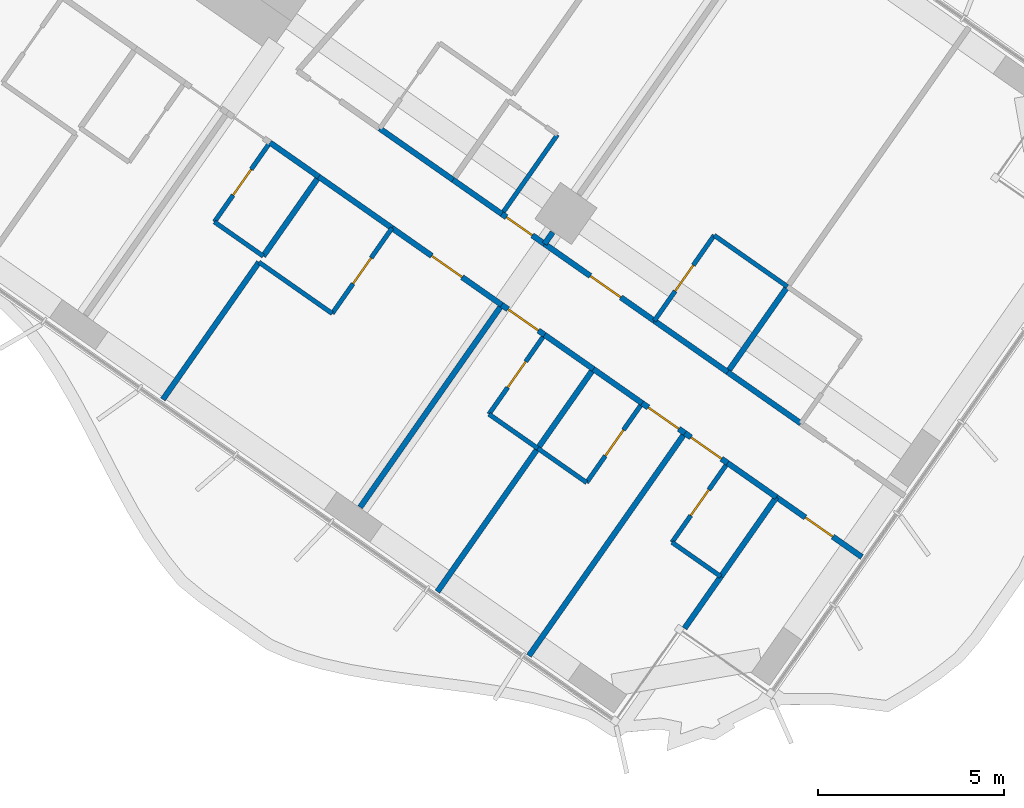
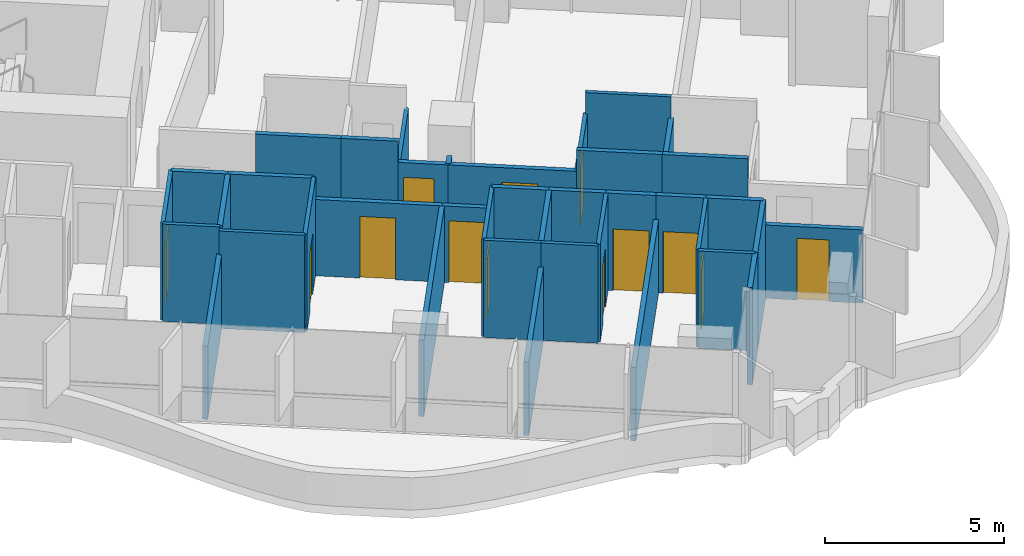
# One storey, part 17 of 25: 39 walls, 13 doors, 13 openings.
"""IFC4 building model written with IfcOpenShell, lengths in metres."""

from ifc_helpers import new_model, si_unit, direction, frame, frame_2d, origin, place, context, subcontext, project, spatial, rectangle, extrude, material, layer, layer_set, type_object, element, fill, save


model = new_model("IFC4")

# Units and contexts
model_context = context("Model", 3, precision=1e-05, world=origin(), true_north=direction((0.0, 1.0)))
body_context = subcontext(model_context, "Body", "Model", "MODEL_VIEW")
ifc_project = project(units=[si_unit("LENGTHUNIT", "METRE"), si_unit("AREAUNIT", "SQUARE_METRE"), si_unit("VOLUMEUNIT", "CUBIC_METRE"), si_unit("PLANEANGLEUNIT", "RADIAN"), si_unit("MASSUNIT", "GRAM", prefix="KILO")], contexts=[model_context])

# Site, building, storey
site_placement = place(None, origin())
site = spatial("IfcSite", under=ifc_project, at=site_placement, CompositionType="ELEMENT")
building_placement = place(site_placement, origin())
building = spatial("IfcBuilding", under=site, at=building_placement, Name="Tel Ilan Convention Tower", CompositionType="ELEMENT")
storey_placement = place(building_placement, frame((0.0, 0.0, 61.699951171875)))
storey = spatial("IfcBuildingStorey", under=building, at=storey_placement, Name="L10", CompositionType="ELEMENT", Elevation=61.699951171875)

# Wall
ifc_material_1 = material(Name="Plasterboard on Steel Studs", Category="steel")
ifc_layer_1 = layer(ifc_material_1, 0.14990234375)
ifc_layer_set_1 = layer_set([ifc_layer_1], Name="Fire-rated Partition 150 EI 60")
wall_type_1 = type_object("IfcWallType", Name="Fire-rated Partition 150 EI 60", PredefinedType="PARTITIONING", material=ifc_layer_set_1)
wall_1_placement = place(storey_placement, frame((24.49072265625, -18.369384765625, 0.0), z_axis=(0.0, 0.0, 1.0), x_axis=(0.819179439794, -0.573537309527, 0.0)))
element("IfcWall", 1, at=wall_1_placement, inside=storey, type_object=wall_type_1, Name="Partition 002", PredefinedType="PARTITIONING", context=body_context, shape_type="SweptSolid", body=[
    extrude(rectangle(XDim=2.404296875, YDim=0.14990234375, at=frame_2d((1.2021484375, 0.0))), origin(), (0.0, 0.0, 1.0), 3.320068359375),
])

# Wall, opening, door
wall_2_placement = place(storey_placement, frame((28.91748046875, -21.468994140625, 0.0), z_axis=(0.0, 0.0, 1.0), x_axis=(-0.81914197737, 0.573590813132, 0.0)))
wall_2 = element("IfcWall", 2, at=wall_2_placement, inside=storey, type_object=wall_type_1, Name="Partition 003", PredefinedType="PARTITIONING", context=body_context, shape_type="SweptSolid", body=[
    extrude(rectangle(XDim=1.40283203125, YDim=0.14990234375, at=frame_2d((0.701416015625, 0.0))), origin(), (0.0, 0.0, 1.0), 2.60009765625),
])
opening_1_placement = place(wall_2_placement, frame((0.403076171875, 0.0, 0.0)))
opening_1 = element("IfcOpeningElement", 3, at=opening_1_placement, cuts=wall_2, Name="Opening L08-046", PredefinedType="OPENING", context=body_context, shape_type="SweptSolid", body=[
    extrude(rectangle(XDim=0.85009765625, YDim=2.10009765625, at=frame_2d((0.425048828125, 1.050048828125))), frame((0.0, 0.0849609375, 0.0), z_axis=(0.0, -1.0, 0.0), x_axis=(1.0, 0.0, 0.0)), (0.0, 0.0, 1.0), 0.169921875),
])
ifc_material_2 = material(Name="Timber Door Leaf in Steel Frame", Category="steel")
door_type_1 = type_object("IfcDoorType", Name="Room Fire Door 850x2100", OperationType="NOTDEFINED", PredefinedType="DOOR", material=ifc_material_2)
door_1_placement = place(opening_1_placement, origin())
door_1 = element("IfcDoor", 4, at=door_1_placement, inside=storey, type_object=door_type_1, Name="Door L08-046", OperationType="SINGLE_SWING_RIGHT", OverallHeight=2.10009765625, OverallWidth=0.85009765625, PredefinedType="DOOR", context=body_context, shape_type="SweptSolid", body=[
    extrude(rectangle(XDim=0.85009765625, YDim=2.10009765625, at=frame_2d((0.425048828125, 1.050048828125))), frame((0.0, 0.02490234375, 0.0), z_axis=(0.0, -1.0, 0.0), x_axis=(1.0, 0.0, 0.0)), (0.0, 0.0, 1.0), 0.050048828125),
])
fill(opening_1, door_1)

# Wall
wall_3_placement = place(storey_placement, frame((26.456787109375, -19.74609375, 0.0), z_axis=(0.0, 0.0, 1.0), x_axis=(0.819189013667, -0.573523634986, 0.0)))
element("IfcWall", 5, at=wall_3_placement, inside=storey, type_object=wall_type_1, Name="Partition 004", PredefinedType="PARTITIONING", context=body_context, shape_type="SweptSolid", body=[
    extrude(rectangle(XDim=1.60400390625, YDim=0.14990234375, at=frame_2d((0.802001953125, 0.0))), origin(), (0.0, 0.0, 1.0), 3.320068359375),
])

# Wall, opening, door
wall_4_placement = place(storey_placement, frame((28.914306640625, -21.466796875, 0.0), z_axis=(0.0, 0.0, 1.0), x_axis=(0.819145961204, -0.573585123798, 0.0)))
wall_4 = element("IfcWall", 6, at=wall_4_placement, inside=storey, type_object=wall_type_1, Name="Partition 005", PredefinedType="PARTITIONING", context=body_context, shape_type="SweptSolid", body=[
    extrude(rectangle(XDim=3.60302734375, YDim=0.14990234375, at=frame_2d((1.801513671875, 0.0))), origin(), (0.0, 0.0, 1.0), 2.60009765625),
])
opening_2_placement = place(wall_4_placement, frame((1.501953125, 0.0, 0.0)))
opening_2 = element("IfcOpeningElement", 7, at=opening_2_placement, cuts=wall_4, Name="Opening L08-048", PredefinedType="OPENING", context=body_context, shape_type="SweptSolid", body=[
    extrude(rectangle(XDim=1.0, YDim=2.10009765625, at=frame_2d((0.5, 1.050048828125))), frame((0.0, 0.0849609375, 0.0), z_axis=(0.0, -1.0, 0.0), x_axis=(1.0, 0.0, 0.0)), (0.0, 0.0, 1.0), 0.169921875),
])
ifc_material_3 = material(Name="Timber Door Leaf in Steel Frame", Category="steel")
door_type_2 = type_object("IfcDoorType", Name="Hotel Room Entrance Fire Door 1000x2100", OperationType="NOTDEFINED", PredefinedType="DOOR", material=ifc_material_3)
door_2_placement = place(opening_2_placement, origin())
door_2 = element("IfcDoor", 8, at=door_2_placement, inside=storey, type_object=door_type_2, Name="Door L08-048", OperationType="SINGLE_SWING_RIGHT", OverallHeight=2.10009765625, OverallWidth=1.0, PredefinedType="DOOR", context=body_context, shape_type="SweptSolid", body=[
    extrude(rectangle(XDim=1.0, YDim=2.10009765625, at=frame_2d((0.5, 1.050048828125))), frame((0.0, 0.02490234375, 0.0), z_axis=(0.0, -1.0, 0.0), x_axis=(1.0, 0.0, 0.0)), (0.0, 0.0, 1.0), 0.050048828125),
])
fill(opening_2, door_2)

# Walls
for number, where, z_axis, x_axis, name in (
    (9, (31.86328125, -23.531494140625, 0.0), (0.0, 0.0, 1.0), (0.819146032251, -0.573585022335, 0.0), "Partition 006"),
    (10, (33.8291015625, -24.908203125, 0.0), (0.0, 0.0, 1.0), (0.819146032251, -0.573585022335, 0.0), "Partition 008"),
):
    element("IfcWall", number, at=place(storey_placement, frame(where, z_axis=z_axis, x_axis=x_axis)), inside=storey, type_object=wall_type_1, Name=name, PredefinedType="PARTITIONING", context=body_context, shape_type="SweptSolid", body=[
        extrude(rectangle(XDim=2.404052734375, YDim=0.14990234375, at=frame_2d((1.2021484375, 0.0))), origin(), (0.0, 0.0, 1.0), 3.320068359375),
    ])

# Wall, opening, door
wall_5_placement = place(storey_placement, frame((37.434814453125, -29.87451171875, 0.0), z_axis=(0.0, 0.0, 1.0), x_axis=(-0.819125488359, 0.573614360281, 0.0)))
wall_5 = element("IfcWall", 11, at=wall_5_placement, inside=storey, type_object=wall_type_1, Name="Partition 010", PredefinedType="PARTITIONING", context=body_context, shape_type="SweptSolid", body=[
    extrude(rectangle(XDim=2.80224609375, YDim=0.14990234375, at=frame_2d((1.401123046875, 0.0))), origin(), (0.0, 0.0, 1.0), 2.5),
])
opening_3_placement = place(wall_5_placement, frame((0.950927734375, 0.0, 0.0)))
opening_3 = element("IfcOpeningElement", 12, at=opening_3_placement, cuts=wall_5, Name="Opening L08-042", PredefinedType="OPENING", context=body_context, shape_type="SweptSolid", body=[
    extrude(rectangle(XDim=0.89990234375, YDim=2.10009765625, at=frame_2d((0.449951171875, 1.050048828125))), frame((0.0, 0.0849609375, 0.0), z_axis=(0.0, -1.0, 0.0), x_axis=(1.0, 0.0, 0.0)), (0.0, 0.0, 1.0), 0.169921875),
])
ifc_material_4 = material(Name="Timber Door Leaf in Steel Frame", Category="steel")
door_type_3 = type_object("IfcDoorType", Name="Room Fire Door 900x2100", OperationType="NOTDEFINED", PredefinedType="DOOR", material=ifc_material_4)
door_3_placement = place(opening_3_placement, origin())
door_3 = element("IfcDoor", 13, at=door_3_placement, inside=storey, type_object=door_type_3, Name="Door L08-042", OperationType="SINGLE_SWING_RIGHT", OverallHeight=2.10009765625, OverallWidth=0.89990234375, PredefinedType="DOOR", context=body_context, shape_type="SweptSolid", body=[
    extrude(rectangle(XDim=0.89990234375, YDim=2.10009765625, at=frame_2d((0.449951171875, 1.050048828125))), frame((0.0, 0.02490234375, 0.0), z_axis=(0.0, -1.0, 0.0), x_axis=(1.0, 0.0, 0.0)), (0.0, 0.0, 1.0), 0.050048828125),
])
fill(opening_3, door_3)

# Wall
wall_6_placement = place(storey_placement, frame((22.85546875, -19.666015625, 0.0), z_axis=(0.0, 0.0, 1.0), x_axis=(-0.819117502046, 0.573625764625, 0.0)))
element("IfcWall", 14, at=wall_6_placement, inside=storey, type_object=wall_type_1, Name="Partition 019", PredefinedType="PARTITIONING", context=body_context, shape_type="SweptSolid", body=[
    extrude(rectangle(XDim=1.60400390625, YDim=0.14990234375, at=frame_2d((0.802001953125, 0.0))), origin(), (0.0, 0.0, 1.0), 3.320068359375),
])

# Wall, opening, door
wall_7_placement = place(storey_placement, frame((27.7705078125, -23.107421875, 0.0), z_axis=(0.0, 0.0, 1.0), x_axis=(-0.819145961204, 0.573585123798, 0.0)))
wall_7 = element("IfcWall", 15, at=wall_7_placement, inside=storey, type_object=wall_type_1, Name="Partition 020", PredefinedType="PARTITIONING", context=body_context, shape_type="SweptSolid", body=[
    extrude(rectangle(XDim=3.60302734375, YDim=0.14990234375, at=frame_2d((1.801513671875, 0.0))), origin(), (0.0, 0.0, 1.0), 2.60009765625),
])
opening_4_placement = place(wall_7_placement, frame((1.302001953125, 0.0, 0.0)))
opening_4 = element("IfcOpeningElement", 16, at=opening_4_placement, cuts=wall_7, Name="Opening L08-035", PredefinedType="OPENING", context=body_context, shape_type="SweptSolid", body=[
    extrude(rectangle(XDim=1.0, YDim=2.10009765625, at=frame_2d((0.5, 1.050048828125))), frame((0.0, 0.0849609375, 0.0), z_axis=(0.0, -1.0, 0.0), x_axis=(1.0, 0.0, 0.0)), (0.0, 0.0, 1.0), 0.169921875),
])
door_4_placement = place(opening_4_placement, origin())
door_4 = element("IfcDoor", 17, at=door_4_placement, inside=storey, type_object=door_type_2, Name="Door L08-035", OperationType="SINGLE_SWING_LEFT", OverallHeight=2.10009765625, OverallWidth=1.0, PredefinedType="DOOR", context=body_context, shape_type="SweptSolid", body=[
    extrude(rectangle(XDim=1.0, YDim=2.10009765625, at=frame_2d((0.5, 1.050048828125))), frame((0.0, 0.02490234375, 0.0), z_axis=(0.0, -1.0, 0.0), x_axis=(1.0, 0.0, 0.0)), (0.0, 0.0, 1.0), 0.050048828125),
])
fill(opening_4, door_4)

# Wall
wall_8_placement = place(storey_placement, frame((24.8212890625, -21.04248046875, 0.0), z_axis=(0.0, 0.0, 1.0), x_axis=(-0.81911261637, 0.573632741136, 0.0)))
element("IfcWall", 18, at=wall_8_placement, inside=storey, type_object=wall_type_1, Name="Partition 021", PredefinedType="PARTITIONING", context=body_context, shape_type="SweptSolid", body=[
    extrude(rectangle(XDim=2.40380859375, YDim=0.14990234375, at=frame_2d((1.201904296875, 0.0))), origin(), (0.0, 0.0, 1.0), 3.320068359375),
])

# Wall, opening, door
wall_9_placement = place(storey_placement, frame((28.91650390625, -23.909912109375, 0.0), z_axis=(0.0, 0.0, 1.0), x_axis=(-0.819117471667, 0.573625808005, 0.0)))
wall_9 = element("IfcWall", 19, at=wall_9_placement, inside=storey, type_object=wall_type_1, Name="Partition 022", PredefinedType="PARTITIONING", context=body_context, shape_type="SweptSolid", body=[
    extrude(rectangle(XDim=1.4033203125, YDim=0.14990234375, at=frame_2d((0.70166015625, 0.0))), origin(), (0.0, 0.0, 1.0), 2.60009765625),
])
opening_5_placement = place(wall_9_placement, frame((0.200927734375, 0.0, 0.0)))
opening_5 = element("IfcOpeningElement", 20, at=opening_5_placement, cuts=wall_9, Name="Opening L08-037", PredefinedType="OPENING", context=body_context, shape_type="SweptSolid", body=[
    extrude(rectangle(XDim=1.0, YDim=2.10009765625, at=frame_2d((0.5, 1.050048828125))), frame((0.0, 0.0849609375, 0.0), z_axis=(0.0, -1.0, 0.0), x_axis=(1.0, 0.0, 0.0)), (0.0, 0.0, 1.0), 0.169921875),
])
door_5_placement = place(opening_5_placement, origin())
door_5 = element("IfcDoor", 21, at=door_5_placement, inside=storey, type_object=door_type_2, Name="Door L08-037", OperationType="SINGLE_SWING_RIGHT", OverallHeight=2.10009765625, OverallWidth=1.0, PredefinedType="DOOR", context=body_context, shape_type="SweptSolid", body=[
    extrude(rectangle(XDim=1.0, YDim=2.10009765625, at=frame_2d((0.5, 1.050048828125))), frame((0.0, 0.02490234375, 0.0), z_axis=(0.0, -1.0, 0.0), x_axis=(1.0, 0.0, 0.0)), (0.0, 0.0, 1.0), 0.050048828125),
])
fill(opening_5, door_5)

# Wall
wall_10_placement = place(storey_placement, frame((30.227783203125, -24.828125, 0.0), z_axis=(0.0, 0.0, 1.0), x_axis=(-0.819189013667, 0.573523634986, 0.0)))
element("IfcWall", 22, at=wall_10_placement, inside=storey, type_object=wall_type_1, Name="Partition 023", PredefinedType="PARTITIONING", context=body_context, shape_type="SweptSolid", body=[
    extrude(rectangle(XDim=1.60400390625, YDim=0.14990234375, at=frame_2d((0.802001953125, 0.0))), origin(), (0.0, 0.0, 1.0), 3.320068359375),
])

# Wall, opening, door
wall_11_placement = place(storey_placement, frame((32.685302734375, -26.548828125, 0.0), z_axis=(0.0, 0.0, 1.0), x_axis=(-0.819199220913, 0.573509055252, 0.0)))
wall_11 = element("IfcWall", 23, at=wall_11_placement, inside=storey, type_object=wall_type_1, Name="Partition 024", PredefinedType="PARTITIONING", context=body_context, shape_type="SweptSolid", body=[
    extrude(rectangle(XDim=1.403076171875, YDim=0.14990234375, at=frame_2d((0.70166015625, 0.0))), origin(), (0.0, 0.0, 1.0), 3.320068359375),
])
opening_6_placement = place(wall_11_placement, frame((0.201904296875, 0.0, 0.0)))
opening_6 = element("IfcOpeningElement", 24, at=opening_6_placement, cuts=wall_11, Name="Opening L08-039", PredefinedType="OPENING", context=body_context, shape_type="SweptSolid", body=[
    extrude(rectangle(XDim=1.0, YDim=2.10009765625, at=frame_2d((0.5, 1.050048828125))), frame((0.0, 0.0849609375, 0.0), z_axis=(0.0, -1.0, 0.0), x_axis=(1.0, 0.0, 0.0)), (0.0, 0.0, 1.0), 0.169921875),
])
door_6_placement = place(opening_6_placement, origin())
door_6 = element("IfcDoor", 25, at=door_6_placement, inside=storey, type_object=door_type_2, Name="Door L08-039", OperationType="SINGLE_SWING_RIGHT", OverallHeight=2.10009765625, OverallWidth=1.0, PredefinedType="DOOR", context=body_context, shape_type="SweptSolid", body=[
    extrude(rectangle(XDim=1.0, YDim=2.10009765625, at=frame_2d((0.5, 1.050048828125))), frame((0.0, 0.02490234375, 0.0), z_axis=(0.0, -1.0, 0.0), x_axis=(1.0, 0.0, 0.0)), (0.0, 0.0, 1.0), 0.050048828125),
])
fill(opening_6, door_6)

# Wall
wall_12_placement = place(storey_placement, frame((31.53857421875, -25.745849609375, 0.0), z_axis=(0.0, 0.0, 1.0), x_axis=(-0.819117502046, 0.573625764625, 0.0)))
element("IfcWall", 26, at=wall_12_placement, inside=storey, type_object=wall_type_1, Name="Partition 025", PredefinedType="PARTITIONING", context=body_context, shape_type="SweptSolid", body=[
    extrude(rectangle(XDim=1.60400390625, YDim=0.14990234375, at=frame_2d((0.802001953125, 0.0))), origin(), (0.0, 0.0, 1.0), 3.320068359375),
])

# Wall, opening, door
wall_13_placement = place(storey_placement, frame((33.831298828125, -27.351318359375, 0.0), z_axis=(0.0, 0.0, 1.0), x_axis=(-0.819117471667, 0.573625808005, 0.0)))
wall_13 = element("IfcWall", 27, at=wall_13_placement, inside=storey, type_object=wall_type_1, Name="Partition 026", PredefinedType="PARTITIONING", context=body_context, shape_type="SweptSolid", body=[
    extrude(rectangle(XDim=1.4033203125, YDim=0.14990234375, at=frame_2d((0.70166015625, 0.0))), origin(), (0.0, 0.0, 1.0), 3.320068359375),
])
opening_7_placement = place(wall_13_placement, frame((0.200927734375, 0.0, 0.0)))
opening_7 = element("IfcOpeningElement", 28, at=opening_7_placement, cuts=wall_13, Name="Opening L08-041", PredefinedType="OPENING", context=body_context, shape_type="SweptSolid", body=[
    extrude(rectangle(XDim=1.0, YDim=2.10009765625, at=frame_2d((0.5, 1.050048828125))), frame((0.0, 0.0849609375, 0.0), z_axis=(0.0, -1.0, 0.0), x_axis=(1.0, 0.0, 0.0)), (0.0, 0.0, 1.0), 0.169921875),
])
door_7_placement = place(opening_7_placement, origin())
door_7 = element("IfcDoor", 29, at=door_7_placement, inside=storey, type_object=door_type_2, Name="Door L08-041", OperationType="SINGLE_SWING_RIGHT", OverallHeight=2.10009765625, OverallWidth=1.0, PredefinedType="DOOR", context=body_context, shape_type="SweptSolid", body=[
    extrude(rectangle(XDim=1.0, YDim=2.10009765625, at=frame_2d((0.5, 1.050048828125))), frame((0.0, 0.02490234375, 0.0), z_axis=(0.0, -1.0, 0.0), x_axis=(1.0, 0.0, 0.0)), (0.0, 0.0, 1.0), 0.050048828125),
])
fill(opening_7, door_7)

# Walls
wall_14_placement = place(storey_placement, frame((35.142822265625, -28.26953125, 0.0), z_axis=(0.0, 0.0, 1.0), x_axis=(-0.819189013667, 0.573523634986, 0.0)))
element("IfcWall", 30, at=wall_14_placement, inside=storey, type_object=wall_type_1, Name="Partition 027", PredefinedType="PARTITIONING", context=body_context, shape_type="SweptSolid", body=[
    extrude(rectangle(XDim=1.60400390625, YDim=0.14990234375, at=frame_2d((0.802001953125, 0.0))), origin(), (0.0, 0.0, 1.0), 3.320068359375),
])
wall_15_placement = place(storey_placement, frame((29.1337890625, -21.156494140625, 0.0), z_axis=(0.0, 0.0, 1.0), x_axis=(-0.572944929411, -0.819593867633, 0.0)))
element("IfcWall", 31, at=wall_15_placement, inside=storey, type_object=wall_type_1, Name="Partition 061", PredefinedType="PARTITIONING", context=body_context, shape_type="SweptSolid", body=[
    extrude(rectangle(XDim=0.380126953125, YDim=0.14990234375, at=frame_2d((0.18994140625, 0.0))), origin(), (0.0, 0.0, 1.0), 2.60009765625),
])
wall_16_placement = place(storey_placement, frame((35.436767578125, -22.61572265625, 0.0), z_axis=(0.0, 0.0, 1.0), x_axis=(-0.573550118428, -0.819170471667, 0.0)))
element("IfcWall", 32, at=wall_16_placement, inside=storey, type_object=wall_type_1, Name="Partition 065", PredefinedType="PARTITIONING", context=body_context, shape_type="SweptSolid", body=[
    extrude(rectangle(XDim=2.800048828125, YDim=0.14990234375, at=frame_2d((1.39990234375, 0.0))), origin(), (0.0, 0.0, 1.0), 2.60009765625),
])
wall_17_placement = place(storey_placement, frame((33.650390625, -30.3974609375, 0.0), z_axis=(0.0, 0.0, 1.0), x_axis=(-0.573568305454, -0.819157737544, 0.0)))
element("IfcWall", 33, at=wall_17_placement, inside=storey, type_object=wall_type_1, Name="Partition 072", PredefinedType="PARTITIONING", context=body_context, shape_type="SweptSolid", body=[
    extrude(rectangle(XDim=1.700927734375, YDim=0.14990234375, at=frame_2d((0.8505859375, 0.0))), origin(), (0.0, 0.0, 1.0), 3.320068359375),
])
wall_18_placement = place(storey_placement, frame((33.648681640625, -30.39990234375, 0.0), z_axis=(0.0, 0.0, 1.0), x_axis=(0.573544201094, 0.819174614714, 0.0)))
element("IfcWall", 34, at=wall_18_placement, inside=storey, type_object=wall_type_1, Name="Partition 073", PredefinedType="PARTITIONING", context=body_context, shape_type="SweptSolid", body=[
    extrude(rectangle(XDim=2.60205078125, YDim=0.14990234375, at=frame_2d((1.301025390625, 0.0))), origin(), (0.0, 0.0, 1.0), 3.320068359375),
])
wall_19_placement = place(storey_placement, frame((21.248291015625, -21.95751953125, 0.0), z_axis=(0.0, 0.0, 1.0), x_axis=(-0.573556991349, -0.819165659482, 0.0)))
element("IfcWall", 35, at=wall_19_placement, inside=storey, type_object=wall_type_1, Name="Partition 087", PredefinedType="PARTITIONING", context=body_context, shape_type="SweptSolid", body=[
    extrude(rectangle(XDim=4.5009765625, YDim=0.14990234375, at=frame_2d((2.25048828125, 0.0))), origin(), (0.0, 0.0, 1.0), 2.5),
])
wall_20_placement = place(storey_placement, frame((22.853759765625, -19.664794921875, 0.0), z_axis=(0.0, 0.0, 1.0), x_axis=(-0.573582085028, -0.819148089014, 0.0)))
element("IfcWall", 36, at=wall_20_placement, inside=storey, type_object=wall_type_1, Name="Partition 088", PredefinedType="PARTITIONING", context=body_context, shape_type="SweptSolid", body=[
    extrude(rectangle(XDim=2.599853515625, YDim=0.14990234375, at=frame_2d((1.2998046875, 0.0))), origin(), (0.0, 0.0, 1.0), 3.320068359375),
])
wall_21_placement = place(storey_placement, frame((27.768798828125, -23.106201171875, 0.0), z_axis=(0.0, 0.0, 1.0), x_axis=(-0.57359826181, -0.819136761505, 0.0)))
element("IfcWall", 37, at=wall_21_placement, inside=storey, type_object=wall_type_1, Name="Partition 091", PredefinedType="PARTITIONING", context=body_context, shape_type="SweptSolid", body=[
    extrude(rectangle(XDim=6.630126953125, YDim=0.14990234375, at=frame_2d((3.31494140625, 0.0))), origin(), (0.0, 0.0, 1.0), 2.60009765625),
])
wall_22_placement = place(storey_placement, frame((28.734375, -26.95751953125, 0.0), z_axis=(0.0, 0.0, 1.0), x_axis=(-0.573594842236, -0.819139156041, 0.0)))
element("IfcWall", 38, at=wall_22_placement, inside=storey, type_object=wall_type_1, Name="Partition 094", PredefinedType="PARTITIONING", context=body_context, shape_type="SweptSolid", body=[
    extrude(rectangle(XDim=4.698974609375, YDim=0.14990234375, at=frame_2d((2.349609375, 0.0))), origin(), (0.0, 0.0, 1.0), 2.5),
])
wall_23_placement = place(storey_placement, frame((30.226318359375, -24.826904296875, 0.0), z_axis=(0.0, 0.0, 1.0), x_axis=(-0.573600972199, -0.819134863556, 0.0)))
element("IfcWall", 39, at=wall_23_placement, inside=storey, type_object=wall_type_1, Name="Partition 095", PredefinedType="PARTITIONING", context=body_context, shape_type="SweptSolid", body=[
    extrude(rectangle(XDim=2.60009765625, YDim=0.14990234375, at=frame_2d((1.300048828125, 0.0))), origin(), (0.0, 0.0, 1.0), 3.320068359375),
])
wall_24_placement = place(storey_placement, frame((32.68359375, -26.547607421875, 0.0), z_axis=(0.0, 0.0, 1.0), x_axis=(-0.573556610931, -0.81916592584, 0.0)))
element("IfcWall", 40, at=wall_24_placement, inside=storey, type_object=wall_type_1, Name="Partition 098", PredefinedType="PARTITIONING", context=body_context, shape_type="SweptSolid", body=[
    extrude(rectangle(XDim=7.300048828125, YDim=0.14990234375, at=frame_2d((3.64990234375, 0.0))), origin(), (0.0, 0.0, 1.0), 2.5),
])
ifc_material_5 = material(Name="Plasterboard on Steel Studs", Category="steel")
ifc_layer_2 = layer(ifc_material_5, 0.1201171875)
ifc_layer_set_2 = layer_set([ifc_layer_2], Name="Moisture-resistant Partition 120")
wall_type_2 = type_object("IfcWallType", Name="Moisture-resistant Partition 120", PredefinedType="PARTITIONING", material=ifc_layer_set_2)
wall_25_placement = place(storey_placement, frame((27.77001953125, -20.66552734375, 0.0), z_axis=(0.0, 0.0, 1.0), x_axis=(0.573537965655, 0.819178980414, 0.0)))
element("IfcWall", 41, at=wall_25_placement, inside=storey, type_object=wall_type_2, Name="Partition 058", PredefinedType="PARTITIONING", context=body_context, shape_type="SweptSolid", body=[
    extrude(rectangle(XDim=2.60009765625, YDim=0.1201171875, at=frame_2d((1.300048828125, 0.0))), origin(), (0.0, 0.0, 1.0), 2.60009765625),
])
wall_26_placement = place(storey_placement, frame((35.4375, -22.614990234375, 0.0), z_axis=(0.0, 0.0, 1.0), x_axis=(-0.819141114317, 0.573592045652, 0.0)))
element("IfcWall", 42, at=wall_26_placement, inside=storey, type_object=wall_type_2, Name="Partition 062", PredefinedType="PARTITIONING", context=body_context, shape_type="SweptSolid", body=[
    extrude(rectangle(XDim=2.400146484375, YDim=0.1201171875, at=frame_2d((1.2001953125, 0.0))), origin(), (0.0, 0.0, 1.0), 3.320068359375),
])

# Wall, opening, door
wall_27_placement = place(storey_placement, frame((33.469970703125, -21.238525390625, 0.0), z_axis=(0.0, 0.0, 1.0), x_axis=(-0.573550118428, -0.819170471667, 0.0)))
wall_27 = element("IfcWall", 43, at=wall_27_placement, inside=storey, type_object=wall_type_2, Name="Partition 063", PredefinedType="PARTITIONING", context=body_context, shape_type="SweptSolid", body=[
    extrude(rectangle(XDim=2.800048828125, YDim=0.1201171875, at=frame_2d((1.39990234375, 0.0))), origin(), (0.0, 0.0, 1.0), 2.60009765625),
])
opening_8_placement = place(wall_27_placement, frame((0.97509765625, 0.0, 0.0)))
opening_8 = element("IfcOpeningElement", 44, at=opening_8_placement, cuts=wall_27, Name="Opening L08-047", PredefinedType="OPENING", context=body_context, shape_type="SweptSolid", body=[
    extrude(rectangle(XDim=0.85009765625, YDim=2.050048828125, at=frame_2d((0.425048828125, 1.02490234375))), frame((0.0, 0.070068359375, 0.0), z_axis=(0.0, -1.0, 0.0), x_axis=(1.0, 0.0, 0.0)), (0.0, 0.0, 1.0), 0.14013671875),
])
ifc_material_6 = material(Name="Timber Door Leaf in Steel Frame", Category="steel")
door_type_4 = type_object("IfcDoorType", Name="Bathroom Timber Door 850x2050", OperationType="NOTDEFINED", PredefinedType="DOOR", material=ifc_material_6)
door_8_placement = place(opening_8_placement, origin())
door_8 = element("IfcDoor", 45, at=door_8_placement, inside=storey, type_object=door_type_4, Name="Door L08-047", OperationType="SINGLE_SWING_LEFT", OverallHeight=2.050048828125, OverallWidth=0.85009765625, PredefinedType="DOOR", context=body_context, shape_type="SweptSolid", body=[
    extrude(rectangle(XDim=0.85009765625, YDim=2.050048828125, at=frame_2d((0.425048828125, 1.02490234375))), frame((0.0, 0.02490234375, 0.0), z_axis=(0.0, -1.0, 0.0), x_axis=(1.0, 0.0, 0.0)), (0.0, 0.0, 1.0), 0.050048828125),
])
fill(opening_8, door_8)

wall_28_placement = place(storey_placement, frame((21.54248046875, -18.74658203125, 0.0), z_axis=(0.0, 0.0, 1.0), x_axis=(-0.573645091666, -0.819103967032, 0.0)))
wall_28 = element("IfcWall", 46, at=wall_28_placement, inside=storey, type_object=wall_type_2, Name="Partition 085", PredefinedType="PARTITIONING", context=body_context, shape_type="SweptSolid", body=[
    extrude(rectangle(XDim=2.599853515625, YDim=0.1201171875, at=frame_2d((1.2998046875, 0.0))), origin(), (0.0, 0.0, 1.0), 3.320068359375),
])
opening_9_placement = place(wall_28_placement, frame((0.875, 0.0, 0.0)))
opening_9 = element("IfcOpeningElement", 47, at=opening_9_placement, cuts=wall_28, Name="Opening L08-032", PredefinedType="OPENING", context=body_context, shape_type="SweptSolid", body=[
    extrude(rectangle(XDim=0.85009765625, YDim=2.050048828125, at=frame_2d((0.425048828125, 1.02490234375))), frame((0.0, 0.070068359375, 0.0), z_axis=(0.0, -1.0, 0.0), x_axis=(1.0, 0.0, 0.0)), (0.0, 0.0, 1.0), 0.14013671875),
])
door_9_placement = place(opening_9_placement, origin())
door_9 = element("IfcDoor", 48, at=door_9_placement, inside=storey, type_object=door_type_4, Name="Door L08-032", OperationType="SINGLE_SWING_LEFT", OverallHeight=2.050048828125, OverallWidth=0.85009765625, PredefinedType="DOOR", context=body_context, shape_type="SweptSolid", body=[
    extrude(rectangle(XDim=0.85009765625, YDim=2.050048828125, at=frame_2d((0.425048828125, 1.02490234375))), frame((0.0, 0.02490234375, 0.0), z_axis=(0.0, -1.0, 0.0), x_axis=(1.0, 0.0, 0.0)), (0.0, 0.0, 1.0), 0.050048828125),
])
fill(opening_9, door_9)

# Walls
wall_29_placement = place(storey_placement, frame((20.05126953125, -20.877685546875, 0.0), z_axis=(0.0, 0.0, 1.0), x_axis=(0.81918174131, -0.573534022273, 0.0)))
element("IfcWall", 49, at=wall_29_placement, inside=storey, type_object=wall_type_2, Name="Partition 086", PredefinedType="PARTITIONING", context=body_context, shape_type="SweptSolid", body=[
    extrude(rectangle(XDim=1.60009765625, YDim=0.1201171875, at=frame_2d((0.800048828125, 0.0))), origin(), (0.0, 0.0, 1.0), 3.320068359375),
])
wall_30_placement = place(storey_placement, frame((21.247314453125, -21.959228515625, 0.0), z_axis=(0.0, 0.0, 1.0), x_axis=(0.819155442668, -0.573571582932, 0.0)))
element("IfcWall", 50, at=wall_30_placement, inside=storey, type_object=wall_type_2, Name="Partition 089", PredefinedType="PARTITIONING", context=body_context, shape_type="SweptSolid", body=[
    extrude(rectangle(XDim=2.39990234375, YDim=0.1201171875, at=frame_2d((1.199951171875, 0.0))), origin(), (0.0, 0.0, 1.0), 3.320068359375),
])

# Wall, opening, door
wall_31_placement = place(storey_placement, frame((23.214599609375, -23.33544921875, 0.0), z_axis=(0.0, 0.0, 1.0), x_axis=(0.573591086599, 0.819141785879, 0.0)))
wall_31 = element("IfcWall", 51, at=wall_31_placement, inside=storey, type_object=wall_type_2, Name="Partition 090", PredefinedType="PARTITIONING", context=body_context, shape_type="SweptSolid", body=[
    extrude(rectangle(XDim=2.7998046875, YDim=0.1201171875, at=frame_2d((1.39990234375, 0.0))), origin(), (0.0, 0.0, 1.0), 3.320068359375),
])
opening_10_placement = place(wall_31_placement, frame((0.97509765625, 0.0, 0.0)))
opening_10 = element("IfcOpeningElement", 52, at=opening_10_placement, cuts=wall_31, Name="Opening L08-034", PredefinedType="OPENING", context=body_context, shape_type="SweptSolid", body=[
    extrude(rectangle(XDim=0.85009765625, YDim=2.050048828125, at=frame_2d((0.425048828125, 1.02490234375))), frame((0.0, 0.070068359375, 0.0), z_axis=(0.0, -1.0, 0.0), x_axis=(1.0, 0.0, 0.0)), (0.0, 0.0, 1.0), 0.14013671875),
])
door_10_placement = place(opening_10_placement, origin())
door_10 = element("IfcDoor", 53, at=door_10_placement, inside=storey, type_object=door_type_4, Name="Door L08-034", OperationType="SINGLE_SWING_RIGHT", OverallHeight=2.050048828125, OverallWidth=0.85009765625, PredefinedType="DOOR", context=body_context, shape_type="SweptSolid", body=[
    extrude(rectangle(XDim=0.85009765625, YDim=2.050048828125, at=frame_2d((0.425048828125, 1.02490234375))), frame((0.0, 0.02490234375, 0.0), z_axis=(0.0, -1.0, 0.0), x_axis=(1.0, 0.0, 0.0)), (0.0, 0.0, 1.0), 0.050048828125),
])
fill(opening_10, door_10)

wall_32_placement = place(storey_placement, frame((28.914794921875, -23.90869140625, 0.0), z_axis=(0.0, 0.0, 1.0), x_axis=(-0.573645091666, -0.819103967032, 0.0)))
wall_32 = element("IfcWall", 54, at=wall_32_placement, inside=storey, type_object=wall_type_2, Name="Partition 092", PredefinedType="PARTITIONING", context=body_context, shape_type="SweptSolid", body=[
    extrude(rectangle(XDim=2.599853515625, YDim=0.1201171875, at=frame_2d((1.2998046875, 0.0))), origin(), (0.0, 0.0, 1.0), 3.320068359375),
])
opening_11_placement = place(wall_32_placement, frame((0.875, 0.0, 0.0)))
opening_11 = element("IfcOpeningElement", 55, at=opening_11_placement, cuts=wall_32, Name="Opening L08-036", PredefinedType="OPENING", context=body_context, shape_type="SweptSolid", body=[
    extrude(rectangle(XDim=0.85009765625, YDim=2.050048828125, at=frame_2d((0.425048828125, 1.02490234375))), frame((0.0, 0.070068359375, 0.0), z_axis=(0.0, -1.0, 0.0), x_axis=(1.0, 0.0, 0.0)), (0.0, 0.0, 1.0), 0.14013671875),
])
door_11_placement = place(opening_11_placement, origin())
door_11 = element("IfcDoor", 56, at=door_11_placement, inside=storey, type_object=door_type_4, Name="Door L08-036", OperationType="SINGLE_SWING_LEFT", OverallHeight=2.050048828125, OverallWidth=0.85009765625, PredefinedType="DOOR", context=body_context, shape_type="SweptSolid", body=[
    extrude(rectangle(XDim=0.85009765625, YDim=2.050048828125, at=frame_2d((0.425048828125, 1.02490234375))), frame((0.0, 0.02490234375, 0.0), z_axis=(0.0, -1.0, 0.0), x_axis=(1.0, 0.0, 0.0)), (0.0, 0.0, 1.0), 0.050048828125),
])
fill(opening_11, door_11)

# Walls
wall_33_placement = place(storey_placement, frame((27.423583984375, -26.039794921875, 0.0), z_axis=(0.0, 0.0, 1.0), x_axis=(0.81918174131, -0.573534022273, 0.0)))
element("IfcWall", 57, at=wall_33_placement, inside=storey, type_object=wall_type_2, Name="Partition 093", PredefinedType="PARTITIONING", context=body_context, shape_type="SweptSolid", body=[
    extrude(rectangle(XDim=1.60009765625, YDim=0.1201171875, at=frame_2d((0.800048828125, 0.0))), origin(), (0.0, 0.0, 1.0), 3.320068359375),
])
wall_34_placement = place(storey_placement, frame((28.734375, -26.95751953125, 0.0), z_axis=(0.0, 0.0, 1.0), x_axis=(0.819131543282, -0.57360571371, 0.0)))
element("IfcWall", 58, at=wall_34_placement, inside=storey, type_object=wall_type_2, Name="Partition 096", PredefinedType="PARTITIONING", context=body_context, shape_type="SweptSolid", body=[
    extrude(rectangle(XDim=1.599853515625, YDim=0.1201171875, at=frame_2d((0.7998046875, 0.0))), origin(), (0.0, 0.0, 1.0), 3.320068359375),
])

# Wall, opening, door
wall_35_placement = place(storey_placement, frame((30.04638671875, -27.875, 0.0), z_axis=(0.0, 0.0, 1.0), x_axis=(0.573537965655, 0.819178980414, 0.0)))
wall_35 = element("IfcWall", 59, at=wall_35_placement, inside=storey, type_object=wall_type_2, Name="Partition 097", PredefinedType="PARTITIONING", context=body_context, shape_type="SweptSolid", body=[
    extrude(rectangle(XDim=2.60009765625, YDim=0.1201171875, at=frame_2d((1.300048828125, 0.0))), origin(), (0.0, 0.0, 1.0), 3.320068359375),
])
opening_12_placement = place(wall_35_placement, frame((0.875, 0.0, 0.0)))
opening_12 = element("IfcOpeningElement", 60, at=opening_12_placement, cuts=wall_35, Name="Opening L08-038", PredefinedType="OPENING", context=body_context, shape_type="SweptSolid", body=[
    extrude(rectangle(XDim=0.85009765625, YDim=2.050048828125, at=frame_2d((0.425048828125, 1.02490234375))), frame((0.0, 0.070068359375, 0.0), z_axis=(0.0, -1.0, 0.0), x_axis=(1.0, 0.0, 0.0)), (0.0, 0.0, 1.0), 0.14013671875),
])
door_12_placement = place(opening_12_placement, origin())
door_12 = element("IfcDoor", 61, at=door_12_placement, inside=storey, type_object=door_type_4, Name="Door L08-038", OperationType="SINGLE_SWING_LEFT", OverallHeight=2.050048828125, OverallWidth=0.85009765625, PredefinedType="DOOR", context=body_context, shape_type="SweptSolid", body=[
    extrude(rectangle(XDim=0.85009765625, YDim=2.050048828125, at=frame_2d((0.425048828125, 1.02490234375))), frame((0.0, 0.02490234375, 0.0), z_axis=(0.0, -1.0, 0.0), x_axis=(1.0, 0.0, 0.0)), (0.0, 0.0, 1.0), 0.050048828125),
])
fill(opening_12, door_12)

wall_36_placement = place(storey_placement, frame((33.82958984375, -27.35009765625, 0.0), z_axis=(0.0, 0.0, 1.0), x_axis=(-0.573537965655, -0.819178980414, 0.0)))
wall_36 = element("IfcWall", 62, at=wall_36_placement, inside=storey, type_object=wall_type_2, Name="Partition 099", PredefinedType="PARTITIONING", context=body_context, shape_type="SweptSolid", body=[
    extrude(rectangle(XDim=2.60009765625, YDim=0.1201171875, at=frame_2d((1.300048828125, 0.0))), origin(), (0.0, 0.0, 1.0), 3.320068359375),
])
opening_13_placement = place(wall_36_placement, frame((0.875, 0.0, 0.0)))
opening_13 = element("IfcOpeningElement", 63, at=opening_13_placement, cuts=wall_36, Name="Opening L08-040", PredefinedType="OPENING", context=body_context, shape_type="SweptSolid", body=[
    extrude(rectangle(XDim=0.85009765625, YDim=2.050048828125, at=frame_2d((0.425048828125, 1.02490234375))), frame((0.0, 0.070068359375, 0.0), z_axis=(0.0, -1.0, 0.0), x_axis=(1.0, 0.0, 0.0)), (0.0, 0.0, 1.0), 0.14013671875),
])
door_13_placement = place(opening_13_placement, origin())
door_13 = element("IfcDoor", 64, at=door_13_placement, inside=storey, type_object=door_type_4, Name="Door L08-040", OperationType="SINGLE_SWING_LEFT", OverallHeight=2.050048828125, OverallWidth=0.85009765625, PredefinedType="DOOR", context=body_context, shape_type="SweptSolid", body=[
    extrude(rectangle(XDim=0.85009765625, YDim=2.050048828125, at=frame_2d((0.425048828125, 1.02490234375))), frame((0.0, 0.02490234375, 0.0), z_axis=(0.0, -1.0, 0.0), x_axis=(1.0, 0.0, 0.0)), (0.0, 0.0, 1.0), 0.050048828125),
])
fill(opening_13, door_13)

# Wall
wall_37_placement = place(storey_placement, frame((32.338623046875, -29.481201171875, 0.0), z_axis=(0.0, 0.0, 1.0), x_axis=(0.819131543282, -0.57360571371, 0.0)))
element("IfcWall", 65, at=wall_37_placement, inside=storey, type_object=wall_type_2, Name="Partition 100", PredefinedType="PARTITIONING", context=body_context, shape_type="SweptSolid", body=[
    extrude(rectangle(XDim=1.599853515625, YDim=0.1201171875, at=frame_2d((0.7998046875, 0.0))), origin(), (0.0, 0.0, 1.0), 3.320068359375),
])

save(model, "model.ifc")
